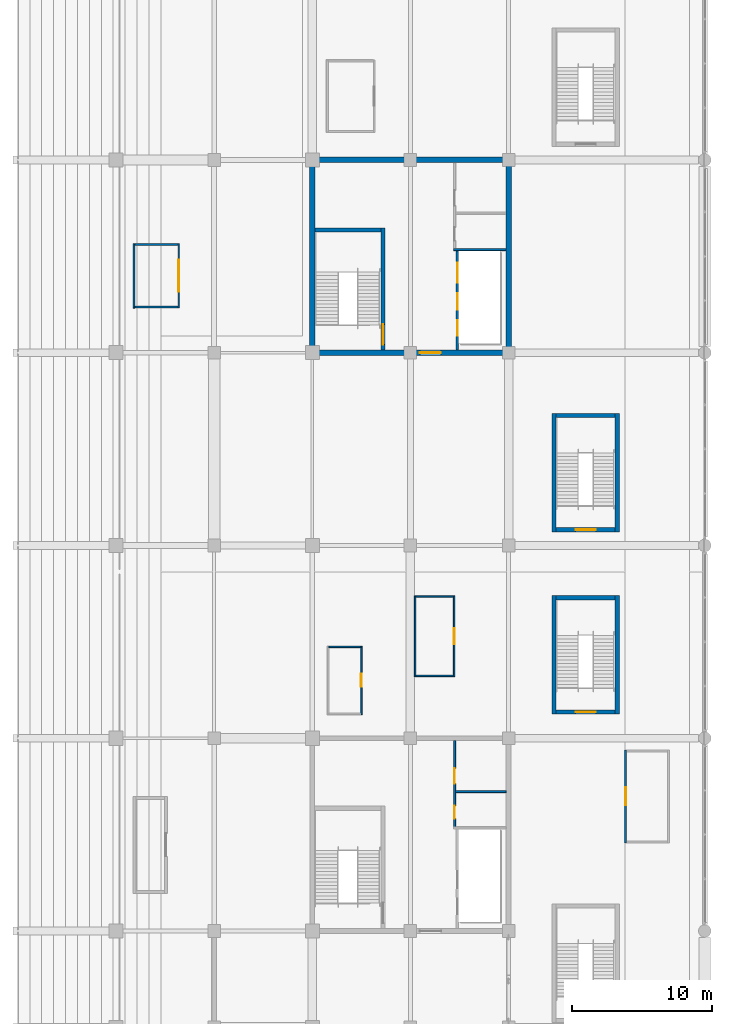
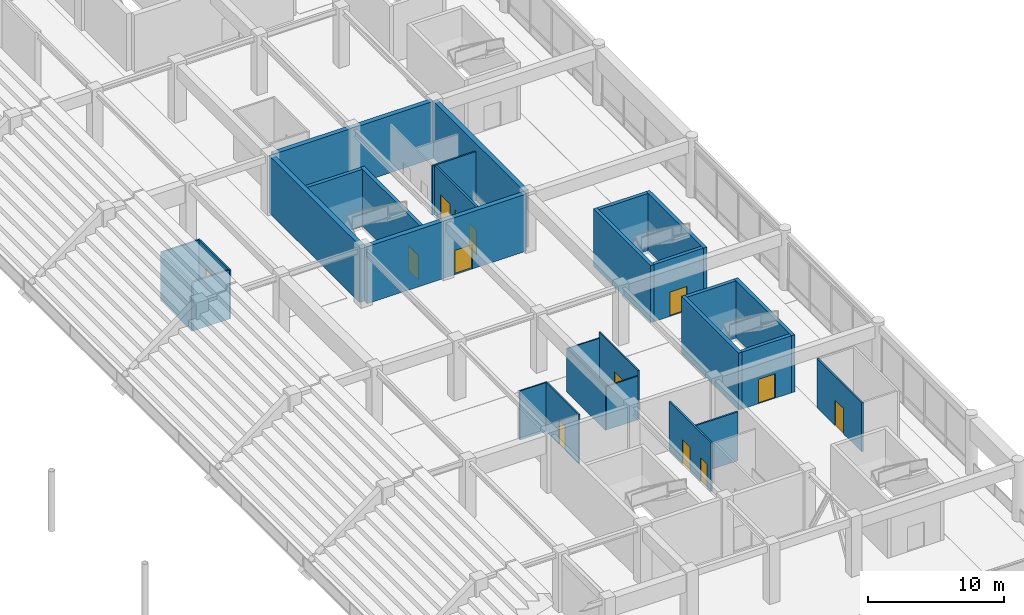
# One storey, part 93 of 117: 29 walls, 13 doors, 13 openings.
"""IFC4 building model written with IfcOpenShell, lengths in metres."""

import ifcopenshell
import ifcopenshell.guid

model = None  # the IFC model being written
_history = None  # IfcOwnerHistory: only IFC2X3 demands one
_inside = {}  # id of a spatial element -> (the spatial element, [elements in it])
_under = {}  # id of a project, library or spatial element -> (it, [spatial elements below it])
_declared = {}  # id of a project -> (the project, [libraries it declares])
_typed = {}  # id of a type object -> (the type object, [elements of that type])
_made_of = {}  # id of a material, layer set ... -> (it, [elements and type objects made of it])


def new_model(schema):
    """Start an empty IFC model of exactly this schema.

    Asked for "IFC4X3", IfcOpenShell would pick the latest addendum, in which some entities
    have other attributes; the version numbers below select the first issue.
    IFC2X3 requires an IfcOwnerHistory on every rooted entity: one is made here for all.
    """
    global model, _history
    if schema == "IFC4X3":
        model = ifcopenshell.file(schema_version=(4, 3, 0, 0))
    else:
        model = ifcopenshell.file(schema=schema)
    _inside.clear()
    _under.clear()
    _declared.clear()
    _typed.clear()
    _made_of.clear()
    _history = None
    if model.schema == "IFC2X3":
        org = make("IfcOrganization", Name="unknown")
        user = make(
            "IfcPersonAndOrganization",
            ThePerson=make("IfcPerson", FamilyName="unknown"),
            TheOrganization=org,
        )
        app = make(
            "IfcApplication",
            ApplicationDeveloper=org,
            Version="unknown",
            ApplicationFullName="unknown",
            ApplicationIdentifier="unknown",
        )
        _history = make(
            "IfcOwnerHistory",
            OwningUser=user,
            OwningApplication=app,
            ChangeAction="ADDED",
            CreationDate=0,
        )
    return model


def make(cls, **values):
    """One entity of the class cls with the attributes given. An attribute that is None is left unset."""
    return model.create_entity(
        cls, **{name: value for name, value in values.items() if value is not None}
    )


def rooted(cls, **values):
    """An entity with a GlobalId (a new one), such as an element, a storey or a relation."""
    return make(cls, GlobalId=ifcopenshell.guid.new(), OwnerHistory=_history, **values)


def si_unit(unit_type, name, prefix=None):
    """IfcSIUnit, for example si_unit("LENGTHUNIT", "METRE", prefix="MILLI")."""
    return make("IfcSIUnit", UnitType=unit_type, Prefix=prefix, Name=name)


def assignment(units):
    """IfcUnitAssignment: the units of a project."""
    return None if units is None else make("IfcUnitAssignment", Units=units)


def point(xyz):
    """IfcCartesianPoint."""
    return None if xyz is None else make("IfcCartesianPoint", Coordinates=xyz)


def direction(xyz):
    """IfcDirection."""
    return None if xyz is None else make("IfcDirection", DirectionRatios=xyz)


def frame(location, z_axis=None, x_axis=None):
    """IfcAxis2Placement3D, a coordinate frame: its origin and axes. An axis left out is left unset."""
    return make(
        "IfcAxis2Placement3D",
        Location=point(location),
        Axis=direction(z_axis),
        RefDirection=direction(x_axis),
    )


def frame_2d(location, x_axis=None):
    """IfcAxis2Placement2D, a coordinate frame in the plane: its origin and x axis."""
    return make(
        "IfcAxis2Placement2D", Location=point(location), RefDirection=direction(x_axis)
    )


def origin():
    """The frame at (0, 0, 0) with its axes left unset."""
    return frame((0.0, 0.0, 0.0))


def place(relative_to, where):
    """IfcLocalPlacement: puts the frame where relative to a parent placement (None: the world)."""
    return make(
        "IfcLocalPlacement", PlacementRelTo=relative_to, RelativePlacement=where
    )


def context(
    kind, dimensions, precision=None, world=None, true_north=None, identifier=None
):
    """IfcGeometricRepresentationContext, for example the 3D "Model" context."""
    return make(
        "IfcGeometricRepresentationContext",
        ContextIdentifier=identifier,
        ContextType=kind,
        CoordinateSpaceDimension=dimensions,
        Precision=precision,
        WorldCoordinateSystem=world,
        TrueNorth=true_north,
    )


def subcontext(parent, identifier, kind, view, scale=None):
    """IfcGeometricRepresentationSubContext, for example "Body" below "Model"."""
    return make(
        "IfcGeometricRepresentationSubContext",
        ContextIdentifier=identifier,
        ContextType=kind,
        ParentContext=parent,
        TargetScale=scale,
        TargetView=view,
    )


def project(units=None, contexts=None):
    """IfcProject with its units and contexts."""
    return rooted(
        "IfcProject",
        Name="project",
        RepresentationContexts=contexts,
        UnitsInContext=assignment(units),
    )


def spatial(cls, under=None, at=None, **own):
    """A site, building, storey or space (cls), placed at a placement, below another one or the project."""
    s = rooted(cls, ObjectPlacement=at, **own)
    if under is not None:
        _under.setdefault(under.id(), (under, []))[1].append(s)
    return s


def profile(cls, at=None, kind="AREA", **sizes):
    """A parametric profile (cls). Its sizes go by their IFC names, for example OverallWidth=200.0."""
    return make(cls, ProfileType=kind, Position=at, **sizes)


def rectangle(**sizes):
    """IfcRectangleProfileDef."""
    return profile("IfcRectangleProfileDef", **sizes)


def extrude(swept, where, along, depth):
    """IfcExtrudedAreaSolid: the profile swept, set in the frame where, extruded along a direction by depth."""
    return make(
        "IfcExtrudedAreaSolid",
        SweptArea=swept,
        Position=where,
        ExtrudedDirection=direction(along),
        Depth=depth,
    )


def shape(context_of_items, identifier, shape_type, items):
    """IfcShapeRepresentation: the items that make up one representation, for example the "Body"."""
    return make(
        "IfcShapeRepresentation",
        ContextOfItems=context_of_items,
        RepresentationIdentifier=identifier,
        RepresentationType=shape_type,
        Items=items,
    )


def material(Name=None, Category=None):
    """IfcMaterial."""
    return make("IfcMaterial", Name=Name, Category=Category)


def layer(
    of_material, thickness, ventilated=None, Name=None, Category=None, Priority=None
):
    """IfcMaterialLayer: one layer of a wall or slab, of a material (None: an air gap)."""
    return make(
        "IfcMaterialLayer",
        Material=of_material,
        LayerThickness=thickness,
        IsVentilated=ventilated,
        Name=Name,
        Category=Category,
        Priority=Priority,
    )


def layer_set(layers, Name=None):
    """IfcMaterialLayerSet."""
    return make("IfcMaterialLayerSet", MaterialLayers=layers, LayerSetName=Name)


def made_of(thing, what):
    """Note that an element or type object is made of a material, layer set ...; save() writes the relation."""
    if what is not None:
        _made_of.setdefault(what.id(), (what, []))[1].append(thing)
    return thing


def type_object(cls, material=None, **own):
    """A type object (cls), such as IfcWallType, which elements share."""
    return made_of(rooted(cls, **own), material)


def element(
    cls,
    number,
    at=None,
    inside=None,
    cuts=None,
    type_object=None,
    material=None,
    context=None,
    identifier="Body",
    shape_type=None,
    held_by="IfcProductDefinitionShape",
    body=None,
    shapes=None,
    **own,
):
    """One element of the class cls, such as IfcWall. Its Tag is "e" and its number.

    at: its placement. inside: the storey or other place that contains it. cuts: it is an
    opening in that element (IfcRelVoidsElement). A single representation is given by context,
    identifier, shape_type and body (its items); several are given by shapes. held_by: the class
    of the entity that holds the representations. save() writes the other relations.
    """
    e = rooted(cls, Tag="e%d" % number, ObjectPlacement=at, **own)
    if body is not None:
        shapes = [shape(context, identifier, shape_type, body)]
    if shapes is not None:
        e.Representation = make(held_by, Representations=shapes)
    if inside is not None:
        _inside.setdefault(inside.id(), (inside, []))[1].append(e)
    if cuts is not None:
        rooted(
            "IfcRelVoidsElement", RelatingBuildingElement=cuts, RelatedOpeningElement=e
        )
    if type_object is not None:
        _typed.setdefault(type_object.id(), (type_object, []))[1].append(e)
    return made_of(e, material)


def fill(opening, filler):
    """IfcRelFillsElement: the door or window that sits in an opening."""
    return rooted(
        "IfcRelFillsElement",
        RelatingOpeningElement=opening,
        RelatedBuildingElement=filler,
    )


def aggregate(whole, parts):
    """IfcRelAggregates: a whole, such as a stair, and the parts it consists of."""
    return rooted("IfcRelAggregates", RelatingObject=whole, RelatedObjects=parts)


def save(model, path):
    """Write the relations noted so far, then the file.

    IfcRelAggregates (storeys below a building ...), IfcRelContainedInSpatialStructure (elements
    in a storey), IfcRelDefinesByType, IfcRelAssociatesMaterial and IfcRelDeclares: one each for
    every whole, place, type object, material and project.
    """
    for whole, parts in _under.values():
        aggregate(whole, parts)
    for where, things in _inside.values():
        rooted(
            "IfcRelContainedInSpatialStructure",
            RelatedElements=things,
            RelatingStructure=where,
        )
    for kind, things in _typed.values():
        rooted("IfcRelDefinesByType", RelatedObjects=things, RelatingType=kind)
    for what, things in _made_of.values():
        rooted("IfcRelAssociatesMaterial", RelatedObjects=things, RelatingMaterial=what)
    for by, libraries in _declared.values():
        rooted("IfcRelDeclares", RelatingContext=by, RelatedDefinitions=libraries)
    model.write(path)


model = new_model("IFC4")

# Units and contexts
model_context = context("Model", 3, precision=1e-05, world=origin(), true_north=direction((0.0, 1.0)))
body_context = subcontext(model_context, "Body", "Model", "MODEL_VIEW")
ifc_project = project(units=[si_unit("LENGTHUNIT", "METRE"), si_unit("AREAUNIT", "SQUARE_METRE"), si_unit("VOLUMEUNIT", "CUBIC_METRE"), si_unit("PLANEANGLEUNIT", "RADIAN"), si_unit("MASSUNIT", "GRAM", prefix="KILO")], contexts=[model_context])

# Site, building, storey
site_placement = place(None, origin())
site = spatial("IfcSite", under=ifc_project, at=site_placement, CompositionType="ELEMENT")
building_placement = place(site_placement, origin())
building = spatial("IfcBuilding", under=site, at=building_placement, Name="Linyun Crest Stadium", CompositionType="ELEMENT")
storey_placement = place(building_placement, frame((0.0, 0.0, 6.0)))
storey = spatial("IfcBuildingStorey", under=building, at=storey_placement, Name="L02", CompositionType="ELEMENT", Elevation=6.0)

# Walls
ifc_material_1 = material(Name="Concrete C50", Category="concrete")
ifc_layer_1 = layer(ifc_material_1, 0.39990234375)
ifc_layer_set_1 = layer_set([ifc_layer_1], Name="Concrete C50")
wall_type_1 = type_object("IfcWallType", Name="CW02", PredefinedType="SHEAR", material=ifc_layer_set_1)
for number, where, z_axis, x_axis, name in (
    (1, (70.0, 2.324951171875, 0.0), (0.0, 0.0, 1.0), (0.0, 1.0, 0.0), "Core shear wall CW02 CORE-E2 L02.1"),
    (2, (84.0, 2.324951171875, 0.0), (0.0, 0.0, 1.0), (0.0, 1.0, 0.0), "Core shear wall CW02 CORE-E2 L02.2"),
):
    element("IfcWall", number, at=place(storey_placement, frame(where, z_axis=z_axis, x_axis=x_axis)), inside=storey, type_object=wall_type_1, Name=name, PredefinedType="SHEAR", context=body_context, shape_type="SweptSolid", body=[
        extrude(rectangle(XDim=13.35009765625, YDim=0.39990234375, at=frame_2d((6.675048828125, 0.0))), origin(), (0.0, 0.0, 1.0), 5.14990234375),
    ])

# Wall, opening, door
wall_1_placement = place(storey_placement, frame((70.199951171875, 2.125, 0.0), z_axis=(0.0, 0.0, 1.0), x_axis=(1.0, 0.0, 0.0)))
wall_1 = element("IfcWall", 3, at=wall_1_placement, inside=storey, type_object=wall_type_1, Name="Core shear wall CW02 CORE-E2 L02.3", PredefinedType="SHEAR", context=body_context, shape_type="SweptSolid", body=[
    extrude(rectangle(XDim=13.60009765625, YDim=0.39990234375, at=frame_2d((6.800048828125, 0.0))), origin(), (0.0, 0.0, 1.0), 5.14990234375),
])
opening_1_placement = place(wall_1_placement, frame((7.47998046875, 0.0, 0.0)))
opening_1 = element("IfcOpeningElement", 4, at=opening_1_placement, cuts=wall_1, Name="Opening D-L02-198", PredefinedType="OPENING", context=body_context, shape_type="SweptSolid", body=[
    extrude(rectangle(XDim=1.5, YDim=2.199951171875, at=frame_2d((0.75, 1.10009765625))), frame((0.0, 0.2099609375, 0.0), z_axis=(0.0, -1.0, 0.0), x_axis=(1.0, 0.0, 0.0)), (0.0, 0.0, 1.0), 0.419921875),
])
ifc_material_2 = material(Name="Galvanized steel Class A fire door", Category="steel")
ifc_layer_2 = layer(ifc_material_2, 0.054931640625)
ifc_layer_set_2 = layer_set([ifc_layer_2], Name="Galvanized steel Class A fire door")
door_type_1 = type_object("IfcDoorType", Name="FD01", OperationType="NOTDEFINED", PredefinedType="DOOR", material=ifc_layer_set_2)
door_1_placement = place(opening_1_placement, origin())
door_1 = element("IfcDoor", 5, at=door_1_placement, inside=storey, type_object=door_type_1, Name="Door D-L02-198", OperationType="SINGLE_SWING_RIGHT", OverallHeight=2.199951171875, OverallWidth=1.5, PredefinedType="DOOR", context=body_context, shape_type="SweptSolid", body=[
    extrude(rectangle(XDim=1.5, YDim=2.199951171875, at=frame_2d((0.75, 1.10009765625))), frame((0.0, 0.02490234375, 0.0), z_axis=(0.0, -1.0, 0.0), x_axis=(1.0, 0.0, 0.0)), (0.0, 0.0, 1.0), 0.050048828125),
])
fill(opening_1, door_1)

# Wall
wall_2_placement = place(storey_placement, frame((70.199951171875, 15.875, 0.0), z_axis=(0.0, 0.0, 1.0), x_axis=(1.0, 0.0, 0.0)))
element("IfcWall", 6, at=wall_2_placement, inside=storey, type_object=wall_type_1, Name="Core shear wall CW02 CORE-E2 L02.4", PredefinedType="SHEAR", context=body_context, shape_type="SweptSolid", body=[
    extrude(rectangle(XDim=13.60009765625, YDim=0.39990234375, at=frame_2d((6.800048828125, 0.0))), origin(), (0.0, 0.0, 1.0), 5.14990234375),
])

# Wall, openings, doors
ifc_material_3 = material(Name="Autoclaved aerated concrete block fire partition", Category="concrete")
ifc_layer_3 = layer(ifc_material_3, 0.179931640625)
ifc_layer_set_3 = layer_set([ifc_layer_3], Name="Autoclaved aerated concrete block fire partition")
wall_type_2 = type_object("IfcWallType", Name="PW12", PredefinedType="PARTITIONING", material=ifc_layer_set_3)
wall_3_placement = place(storey_placement, frame((80.35009765625, 2.324951171875, 0.0), z_axis=(0.0, 0.0, 1.0), x_axis=(0.0, 1.0, 0.0)))
wall_3 = element("IfcWall", 7, at=wall_3_placement, inside=storey, type_object=wall_type_2, Name="Partition PW12 L02 73", PredefinedType="PARTITIONING", context=body_context, shape_type="SweptSolid", body=[
    extrude(rectangle(XDim=7.080078125, YDim=0.179931640625, at=frame_2d((3.5400390625, 0.0))), origin(), (0.0, 0.0, 1.0), 4.419921875),
])
opening_2_placement = place(wall_3_placement, frame((1.0, 0.0, 0.0)))
opening_2 = element("IfcOpeningElement", 8, at=opening_2_placement, cuts=wall_3, Name="Opening LD067", PredefinedType="OPENING", context=body_context, shape_type="SweptSolid", body=[
    extrude(rectangle(XDim=1.10009765625, YDim=2.199951171875, at=frame_2d((0.550048828125, 1.10009765625))), frame((0.0, 0.099853515625, 0.0), z_axis=(0.0, -1.0, 0.0), x_axis=(1.0, 0.0, 0.0)), (0.0, 0.0, 1.0), 0.199951171875),
])
opening_3_placement = place(wall_3_placement, frame((2.85009765625, 0.0, 0.0)))
opening_3 = element("IfcOpeningElement", 9, at=opening_3_placement, cuts=wall_3, Name="Opening LD068", PredefinedType="OPENING", context=body_context, shape_type="SweptSolid", body=[
    extrude(rectangle(XDim=1.199951171875, YDim=2.25, at=frame_2d((0.60009765625, 1.125))), frame((0.0, 0.099853515625, 0.0), z_axis=(0.0, -1.0, 0.0), x_axis=(1.0, 0.0, 0.0)), (0.0, 0.0, 1.0), 0.199951171875),
])
opening_4_placement = place(wall_3_placement, frame((4.800048828125, 0.0, 0.0)))
opening_4 = element("IfcOpeningElement", 10, at=opening_4_placement, cuts=wall_3, Name="Opening LD069", PredefinedType="OPENING", context=body_context, shape_type="SweptSolid", body=[
    extrude(rectangle(XDim=1.39990234375, YDim=2.300048828125, at=frame_2d((0.699951171875, 1.14990234375))), frame((0.0, 0.099853515625, 0.0), z_axis=(0.0, -1.0, 0.0), x_axis=(1.0, 0.0, 0.0)), (0.0, 0.0, 1.0), 0.199951171875),
])
ifc_material_4 = material(Name="Brushed stainless sliding lift door")
ifc_layer_4 = layer(ifc_material_4, 0.050048828125)
ifc_layer_set_4 = layer_set([ifc_layer_4], Name="Brushed stainless sliding lift door")
door_type_2 = type_object("IfcDoorType", Name="LD01", OperationType="NOTDEFINED", PredefinedType="DOOR", material=ifc_layer_set_4)
door_2_placement = place(opening_2_placement, origin())
door_2 = element("IfcDoor", 11, at=door_2_placement, inside=storey, type_object=door_type_2, Name="Lift landing door LD067", OperationType="DOUBLE_DOOR_SLIDING", OverallHeight=2.199951171875, OverallWidth=1.10009765625, PredefinedType="DOOR", context=body_context, shape_type="SweptSolid", body=[
    extrude(rectangle(XDim=1.10009765625, YDim=2.199951171875, at=frame_2d((0.550048828125, 1.10009765625))), frame((0.0, 0.02490234375, 0.0), z_axis=(0.0, -1.0, 0.0), x_axis=(1.0, 0.0, 0.0)), (0.0, 0.0, 1.0), 0.050048828125),
])
fill(opening_2, door_2)
ifc_material_5 = material(Name="Brushed stainless sliding lift door")
ifc_layer_5 = layer(ifc_material_5, 0.050048828125)
ifc_layer_set_5 = layer_set([ifc_layer_5], Name="Brushed stainless sliding lift door")
door_type_3 = type_object("IfcDoorType", Name="LD02", OperationType="NOTDEFINED", PredefinedType="DOOR", material=ifc_layer_set_5)
door_3_placement = place(opening_3_placement, origin())
door_3 = element("IfcDoor", 12, at=door_3_placement, inside=storey, type_object=door_type_3, Name="Lift landing door LD068", OperationType="DOUBLE_DOOR_SLIDING", OverallHeight=2.25, OverallWidth=1.199951171875, PredefinedType="DOOR", context=body_context, shape_type="SweptSolid", body=[
    extrude(rectangle(XDim=1.199951171875, YDim=2.25, at=frame_2d((0.60009765625, 1.125))), frame((0.0, 0.02490234375, 0.0), z_axis=(0.0, -1.0, 0.0), x_axis=(1.0, 0.0, 0.0)), (0.0, 0.0, 1.0), 0.050048828125),
])
fill(opening_3, door_3)
ifc_material_6 = material(Name="Heavy-duty stainless sliding door")
ifc_layer_6 = layer(ifc_material_6, 0.054931640625)
ifc_layer_set_6 = layer_set([ifc_layer_6], Name="Heavy-duty stainless sliding door")
door_type_4 = type_object("IfcDoorType", Name="LD03", OperationType="NOTDEFINED", PredefinedType="DOOR", material=ifc_layer_set_6)
door_4_placement = place(opening_4_placement, origin())
door_4 = element("IfcDoor", 13, at=door_4_placement, inside=storey, type_object=door_type_4, Name="Lift landing door LD069", OperationType="DOUBLE_DOOR_SLIDING", OverallHeight=2.300048828125, OverallWidth=1.39990234375, PredefinedType="DOOR", context=body_context, shape_type="SweptSolid", body=[
    extrude(rectangle(XDim=1.39990234375, YDim=2.300048828125, at=frame_2d((0.699951171875, 1.14990234375))), frame((0.0, 0.02490234375, 0.0), z_axis=(0.0, -1.0, 0.0), x_axis=(1.0, 0.0, 0.0)), (0.0, 0.0, 1.0), 0.050048828125),
])
fill(opening_4, door_4)

# Wall, opening, door
ifc_material_7 = material(Name="Steel-stud gypsum corridor fire partition", Category="steel")
ifc_layer_7 = layer(ifc_material_7, 0.14990234375)
ifc_layer_set_7 = layer_set([ifc_layer_7], Name="Steel-stud gypsum corridor fire partition")
wall_type_3 = type_object("IfcWallType", Name="PW14", PredefinedType="PARTITIONING", material=ifc_layer_set_7)
wall_4_placement = place(storey_placement, frame((92.35400390625, -32.8369140625, 0.0), z_axis=(0.0, 0.0, 1.0), x_axis=(0.0, 1.0, 0.0)))
wall_4 = element("IfcWall", 14, at=wall_4_placement, inside=storey, type_object=wall_type_3, Name="Partition PW14 L02 187", PredefinedType="PARTITIONING", context=body_context, shape_type="SweptSolid", body=[
    extrude(rectangle(XDim=6.6298828125, YDim=0.14990234375, at=frame_2d((3.31494140625, 0.0))), origin(), (0.0, 0.0, 1.0), 4.419921875),
])
opening_5_placement = place(wall_4_placement, frame((2.6650390625, 0.0, 0.0)))
opening_5 = element("IfcOpeningElement", 15, at=opening_5_placement, cuts=wall_4, Name="Opening D-L02-450", PredefinedType="OPENING", context=body_context, shape_type="SweptSolid", body=[
    extrude(rectangle(XDim=1.300048828125, YDim=2.300048828125, at=frame_2d((0.64990234375, 1.14990234375))), frame((0.0, 0.0849609375, 0.0), z_axis=(0.0, -1.0, 0.0), x_axis=(1.0, 0.0, 0.0)), (0.0, 0.0, 1.0), 0.169921875),
])
ifc_material_8 = material(Name="High-STC acoustic steel studio door", Category="steel")
ifc_layer_8 = layer(ifc_material_8, 0.06494140625)
ifc_layer_set_8 = layer_set([ifc_layer_8], Name="High-STC acoustic steel studio door")
door_type_5 = type_object("IfcDoorType", Name="ID08", OperationType="NOTDEFINED", PredefinedType="DOOR", material=ifc_layer_set_8)
door_5_placement = place(opening_5_placement, origin())
door_5 = element("IfcDoor", 16, at=door_5_placement, inside=storey, type_object=door_type_5, Name="Door D-L02-450", OperationType="SINGLE_SWING_RIGHT", OverallHeight=2.300048828125, OverallWidth=1.300048828125, PredefinedType="DOOR", context=body_context, shape_type="SweptSolid", body=[
    extrude(rectangle(XDim=1.300048828125, YDim=2.300048828125, at=frame_2d((0.64990234375, 1.14990234375))), frame((0.0, 0.02490234375, 0.0), z_axis=(0.0, -1.0, 0.0), x_axis=(1.0, 0.0, 0.0)), (0.0, 0.0, 1.0), 0.050048828125),
])
fill(opening_5, door_5)

# Wall, openings, doors
ifc_material_9 = material(Name="Moisture-resistant ceramic-tiled wet-room wall")
ifc_layer_9 = layer(ifc_material_9, 0.139892578125)
ifc_layer_set_9 = layer_set([ifc_layer_9], Name="Moisture-resistant ceramic-tiled wet-room wall")
wall_type_4 = type_object("IfcWallType", Name="PW15", PredefinedType="PARTITIONING", material=ifc_layer_set_9)
wall_5_placement = place(storey_placement, frame((80.14990234375, -31.705078125, 0.0), z_axis=(0.0, 0.0, 1.0), x_axis=(0.0, 1.0, 0.0)))
wall_5 = element("IfcWall", 17, at=wall_5_placement, inside=storey, type_object=wall_type_4, Name="Partition PW15 L02 62", PredefinedType="PARTITIONING", context=body_context, shape_type="SweptSolid", body=[
    extrude(rectangle(XDim=6.155029296875, YDim=0.139892578125, at=frame_2d((3.07763671875, 0.0))), origin(), (0.0, 0.0, 1.0), 4.419921875),
])
opening_6_placement = place(wall_5_placement, frame((0.580078125, 0.0, 0.0)))
opening_6 = element("IfcOpeningElement", 18, at=opening_6_placement, cuts=wall_5, Name="Opening D-L02-164", PredefinedType="OPENING", context=body_context, shape_type="SweptSolid", body=[
    extrude(rectangle(XDim=0.949951171875, YDim=2.14990234375, at=frame_2d((0.47509765625, 1.074951171875))), frame((0.0, 0.079833984375, 0.0), z_axis=(0.0, -1.0, 0.0), x_axis=(1.0, 0.0, 0.0)), (0.0, 0.0, 1.0), 0.159912109375),
])
opening_7_placement = place(wall_5_placement, frame((3.080078125, 0.0, 0.0)))
opening_7 = element("IfcOpeningElement", 19, at=opening_7_placement, cuts=wall_5, Name="Opening D-L02-165", PredefinedType="OPENING", context=body_context, shape_type="SweptSolid", body=[
    extrude(rectangle(XDim=1.10009765625, YDim=2.14990234375, at=frame_2d((0.550048828125, 1.074951171875))), frame((0.0, 0.079833984375, 0.0), z_axis=(0.0, -1.0, 0.0), x_axis=(1.0, 0.0, 0.0)), (0.0, 0.0, 1.0), 0.159912109375),
])
ifc_material_10 = material(Name="Moisture-resistant laminate leaf")
ifc_layer_10 = layer(ifc_material_10, 0.044921875)
ifc_layer_set_10 = layer_set([ifc_layer_10], Name="Moisture-resistant laminate leaf")
door_type_6 = type_object("IfcDoorType", Name="ID02", OperationType="NOTDEFINED", PredefinedType="DOOR", material=ifc_layer_set_10)
door_6_placement = place(opening_6_placement, origin())
door_6 = element("IfcDoor", 20, at=door_6_placement, inside=storey, type_object=door_type_6, Name="Door D-L02-164", OperationType="SINGLE_SWING_RIGHT", OverallHeight=2.14990234375, OverallWidth=0.949951171875, PredefinedType="DOOR", context=body_context, shape_type="SweptSolid", body=[
    extrude(rectangle(XDim=0.949951171875, YDim=2.14990234375, at=frame_2d((0.47509765625, 1.074951171875))), frame((0.0, 0.02490234375, 0.0), z_axis=(0.0, -1.0, 0.0), x_axis=(1.0, 0.0, 0.0)), (0.0, 0.0, 1.0), 0.050048828125),
])
fill(opening_6, door_6)
ifc_material_11 = material(Name="Moisture-resistant laminate leaf")
ifc_layer_11 = layer(ifc_material_11, 0.044921875)
ifc_layer_set_11 = layer_set([ifc_layer_11], Name="Moisture-resistant laminate leaf")
door_type_7 = type_object("IfcDoorType", Name="ID03", OperationType="NOTDEFINED", PredefinedType="DOOR", material=ifc_layer_set_11)
door_7_placement = place(opening_7_placement, origin())
door_7 = element("IfcDoor", 21, at=door_7_placement, inside=storey, type_object=door_type_7, Name="Door D-L02-165", OperationType="SINGLE_SWING_LEFT", OverallHeight=2.14990234375, OverallWidth=1.10009765625, PredefinedType="DOOR", context=body_context, shape_type="SweptSolid", body=[
    extrude(rectangle(XDim=1.10009765625, YDim=2.14990234375, at=frame_2d((0.550048828125, 1.074951171875))), frame((0.0, 0.02490234375, 0.0), z_axis=(0.0, -1.0, 0.0), x_axis=(1.0, 0.0, 0.0)), (0.0, 0.0, 1.0), 0.050048828125),
])
fill(opening_7, door_7)

# Walls
wall_6_placement = place(storey_placement, frame((80.219970703125, -29.175048828125, 0.0), z_axis=(0.0, 0.0, 1.0), x_axis=(1.0, 0.0, 0.0)))
element("IfcWall", 22, at=wall_6_placement, inside=storey, type_object=wall_type_4, Name="Enclosure partition PW15 L02 48", PredefinedType="PARTITIONING", context=body_context, shape_type="SweptSolid", body=[
    extrude(rectangle(XDim=3.60498046875, YDim=0.139892578125, at=frame_2d((1.802490234375, 0.0))), origin(), (0.0, 0.0, 1.0), 4.419921875),
])
wall_7_placement = place(storey_placement, frame((80.080078125, 9.47509765625, 0.0), z_axis=(0.0, 0.0, 1.0), x_axis=(1.0, 0.0, 0.0)))
element("IfcWall", 23, at=wall_7_placement, inside=storey, type_object=wall_type_4, Name="Enclosure partition PW15 L02 59", PredefinedType="PARTITIONING", context=body_context, shape_type="SweptSolid", body=[
    extrude(rectangle(XDim=3.719970703125, YDim=0.139892578125, at=frame_2d((1.85986328125, 0.0))), origin(), (0.0, 0.0, 1.0), 4.419921875),
])

# Wall, opening, door
ifc_material_12 = material(Name="Steel-stud hospitality suite partition", Category="steel")
ifc_layer_12 = layer(ifc_material_12, 0.125)
ifc_layer_set_12 = layer_set([ifc_layer_12], Name="Steel-stud hospitality suite partition")
wall_type_5 = type_object("IfcWallType", Name="PW17", PredefinedType="PARTITIONING", material=ifc_layer_set_12)
wall_8_placement = place(storey_placement, frame((60.47802734375, 9.9140625, 0.0), z_axis=(0.0, 0.0, 1.0), x_axis=(0.0, -1.0, 0.0)))
wall_8 = element("IfcWall", 24, at=wall_8_placement, inside=storey, type_object=wall_type_5, Name="Partition PW17 L02 189", PredefinedType="PARTITIONING", context=body_context, shape_type="SweptSolid", body=[
    extrude(rectangle(XDim=4.60009765625, YDim=0.125, at=frame_2d((2.300048828125, 0.0))), origin(), (0.0, 0.0, 1.0), 4.419921875),
])
opening_8_placement = place(wall_8_placement, frame((1.175048828125, 0.0, 0.0)))
opening_8 = element("IfcOpeningElement", 25, at=opening_8_placement, cuts=wall_8, Name="Opening D-L02-452", PredefinedType="OPENING", context=body_context, shape_type="SweptSolid", body=[
    extrude(rectangle(XDim=2.25, YDim=2.449951171875, at=frame_2d((1.125, 1.22509765625))), frame((0.0, 0.072509765625, 0.0), z_axis=(0.0, -1.0, 0.0), x_axis=(1.0, 0.0, 0.0)), (0.0, 0.0, 1.0), 0.14501953125),
])
ifc_material_13 = material(Name="Double-leaf anodized aluminium door", Category="aluminium")
ifc_layer_13 = layer(ifc_material_13, 0.054931640625)
ifc_layer_set_13 = layer_set([ifc_layer_13], Name="Double-leaf anodized aluminium door")
door_type_8 = type_object("IfcDoorType", Name="ID10", OperationType="NOTDEFINED", PredefinedType="DOOR", material=ifc_layer_set_13)
door_8_placement = place(opening_8_placement, origin())
door_8 = element("IfcDoor", 26, at=door_8_placement, inside=storey, type_object=door_type_8, Name="Door D-L02-452", OperationType="DOUBLE_DOOR_SINGLE_SWING", OverallHeight=2.449951171875, OverallWidth=2.25, PredefinedType="DOOR", context=body_context, shape_type="SweptSolid", body=[
    extrude(rectangle(XDim=2.25, YDim=2.449951171875, at=frame_2d((1.125, 1.22509765625))), frame((0.0, 0.02490234375, 0.0), z_axis=(0.0, -1.0, 0.0), x_axis=(1.0, 0.0, 0.0)), (0.0, 0.0, 1.0), 0.050048828125),
])
fill(opening_8, door_8)

# Walls
wall_9_placement = place(storey_placement, frame((57.278076171875, 5.31396484375, 0.0), z_axis=(0.0, 0.0, 1.0), x_axis=(0.0, 1.0, 0.0)))
element("IfcWall", 27, at=wall_9_placement, inside=storey, type_object=wall_type_5, Name="Enclosure partition PW17 L02 283", PredefinedType="PARTITIONING", context=body_context, shape_type="SweptSolid", body=[
    extrude(rectangle(XDim=4.60009765625, YDim=0.125, at=frame_2d((2.300048828125, 0.0))), origin(), (0.0, 0.0, 1.0), 4.419921875),
])
for number, where, z_axis, x_axis, name in (
    (28, (57.341064453125, 5.376953125, 0.0), (0.0, 0.0, 1.0), (1.0, 0.0, 0.0), "Enclosure partition PW17 L02 284"),
    (29, (57.341064453125, 9.85107421875, 0.0), (0.0, 0.0, 1.0), (1.0, 0.0, 0.0), "Enclosure partition PW17 L02 285"),
):
    element("IfcWall", number, at=place(storey_placement, frame(where, z_axis=z_axis, x_axis=x_axis)), inside=storey, type_object=wall_type_5, Name=name, PredefinedType="PARTITIONING", context=body_context, shape_type="SweptSolid", body=[
        extrude(rectangle(XDim=3.073974609375, YDim=0.125, at=frame_2d((1.537109375, 0.0))), origin(), (0.0, 0.0, 1.0), 4.419921875),
    ])

# Wall, opening, door
ifc_material_14 = material(Name="Lightweight demountable office partition")
ifc_layer_14 = layer(ifc_material_14, 0.110107421875)
ifc_layer_set_14 = layer_set([ifc_layer_14], Name="Lightweight demountable office partition")
wall_type_6 = type_object("IfcWallType", Name="PW18", PredefinedType="PARTITIONING", material=ifc_layer_set_14)
wall_10_placement = place(storey_placement, frame((73.49609375, -18.7958984375, 0.0), z_axis=(0.0, 0.0, 1.0), x_axis=(0.0, -1.0, 0.0)))
wall_10 = element("IfcWall", 30, at=wall_10_placement, inside=storey, type_object=wall_type_6, Name="Partition PW18 L02 190", PredefinedType="PARTITIONING", context=body_context, shape_type="SweptSolid", body=[
    extrude(rectangle(XDim=4.89013671875, YDim=0.110107421875, at=frame_2d((2.445068359375, 0.0))), origin(), (0.0, 0.0, 1.0), 4.419921875),
])
opening_9_placement = place(wall_10_placement, frame((1.9951171875, 0.0, 0.0)))
opening_9 = element("IfcOpeningElement", 31, at=opening_9_placement, cuts=wall_10, Name="Opening D-L02-453", PredefinedType="OPENING", context=body_context, shape_type="SweptSolid", body=[
    extrude(rectangle(XDim=0.89990234375, YDim=2.14990234375, at=frame_2d((0.449951171875, 1.074951171875))), frame((0.0, 0.06494140625, 0.0), z_axis=(0.0, -1.0, 0.0), x_axis=(1.0, 0.0, 0.0)), (0.0, 0.0, 1.0), 0.130126953125),
])
ifc_material_15 = material(Name="Acoustic glazed booth door")
ifc_layer_15 = layer(ifc_material_15, 0.050048828125)
ifc_layer_set_15 = layer_set([ifc_layer_15], Name="Acoustic glazed booth door")
door_type_9 = type_object("IfcDoorType", Name="ID11", OperationType="NOTDEFINED", PredefinedType="DOOR", material=ifc_layer_set_15)
door_9_placement = place(opening_9_placement, origin())
door_9 = element("IfcDoor", 32, at=door_9_placement, inside=storey, type_object=door_type_9, Name="Door D-L02-453", OperationType="SINGLE_SWING_LEFT", OverallHeight=2.14990234375, OverallWidth=0.89990234375, PredefinedType="DOOR", context=body_context, shape_type="SweptSolid", body=[
    extrude(rectangle(XDim=0.89990234375, YDim=2.14990234375, at=frame_2d((0.449951171875, 1.074951171875))), frame((0.0, 0.02490234375, 0.0), z_axis=(0.0, -1.0, 0.0), x_axis=(1.0, 0.0, 0.0)), (0.0, 0.0, 1.0), 0.050048828125),
])
fill(opening_9, door_9)

wall_11_placement = place(storey_placement, frame((80.12109375, -15.218017578125, 0.0), z_axis=(0.0, 0.0, 1.0), x_axis=(0.0, -1.0, 0.0)))
wall_11 = element("IfcWall", 33, at=wall_11_placement, inside=storey, type_object=wall_type_6, Name="Partition PW18 L02 255", PredefinedType="PARTITIONING", context=body_context, shape_type="SweptSolid", body=[
    extrude(rectangle(XDim=5.760009765625, YDim=0.110107421875, at=frame_2d((2.8798828125, 0.0))), origin(), (0.0, 0.0, 1.0), 4.419921875),
])
opening_10_placement = place(wall_11_placement, frame((2.304931640625, 0.0, 0.0)))
opening_10 = element("IfcOpeningElement", 34, at=opening_10_placement, cuts=wall_11, Name="Opening D-L02-518", PredefinedType="OPENING", context=body_context, shape_type="SweptSolid", body=[
    extrude(rectangle(XDim=1.14990234375, YDim=2.199951171875, at=frame_2d((0.574951171875, 1.10009765625))), frame((0.0, 0.06494140625, 0.0), z_axis=(0.0, -1.0, 0.0), x_axis=(1.0, 0.0, 0.0)), (0.0, 0.0, 1.0), 0.130126953125),
])
ifc_material_16 = material(Name="Solid timber acoustic door", Category="wood")
ifc_layer_16 = layer(ifc_material_16, 0.050048828125)
ifc_layer_set_16 = layer_set([ifc_layer_16], Name="Solid timber acoustic door")
door_type_10 = type_object("IfcDoorType", Name="ID15", OperationType="NOTDEFINED", PredefinedType="DOOR", material=ifc_layer_set_16)
door_10_placement = place(opening_10_placement, origin())
door_10 = element("IfcDoor", 35, at=door_10_placement, inside=storey, type_object=door_type_10, Name="Door D-L02-518", OperationType="SINGLE_SWING_RIGHT", OverallHeight=2.199951171875, OverallWidth=1.14990234375, PredefinedType="DOOR", context=body_context, shape_type="SweptSolid", body=[
    extrude(rectangle(XDim=1.14990234375, YDim=2.199951171875, at=frame_2d((0.574951171875, 1.10009765625))), frame((0.0, 0.02490234375, 0.0), z_axis=(0.0, -1.0, 0.0), x_axis=(1.0, 0.0, 0.0)), (0.0, 0.0, 1.0), 0.050048828125),
])
fill(opening_10, door_10)

# Walls
wall_12_placement = place(storey_placement, frame((71.19091796875, -18.85107421875, 0.0), z_axis=(0.0, 0.0, 1.0), x_axis=(1.0, 0.0, 0.0)))
element("IfcWall", 36, at=wall_12_placement, inside=storey, type_object=wall_type_6, Name="Enclosure partition PW18 L02 288", PredefinedType="PARTITIONING", context=body_context, shape_type="SweptSolid", body=[
    extrude(rectangle(XDim=2.25, YDim=0.110107421875, at=frame_2d((1.125, 0.0))), origin(), (0.0, 0.0, 1.0), 4.419921875),
])
wall_13_placement = place(storey_placement, frame((77.341064453125, -20.97802734375, 0.0), z_axis=(0.0, 0.0, 1.0), x_axis=(0.0, 1.0, 0.0)))
element("IfcWall", 37, at=wall_13_placement, inside=storey, type_object=wall_type_6, Name="Enclosure partition PW18 L02 481", PredefinedType="PARTITIONING", context=body_context, shape_type="SweptSolid", body=[
    extrude(rectangle(XDim=5.760009765625, YDim=0.110107421875, at=frame_2d((2.8798828125, 0.0))), origin(), (0.0, 0.0, 1.0), 3.925048828125),
])
for number, where, z_axis, x_axis, name in (
    (38, (77.39599609375, -20.923095703125, 0.0), (0.0, 0.0, 1.0), (1.0, 0.0, 0.0), "Enclosure partition PW18 L02 482"),
    (39, (77.39599609375, -15.27294921875, 0.0), (0.0, 0.0, 1.0), (1.0, 0.0, 0.0), "Enclosure partition PW18 L02 483"),
):
    element("IfcWall", number, at=place(storey_placement, frame(where, z_axis=z_axis, x_axis=x_axis)), inside=storey, type_object=wall_type_6, Name=name, PredefinedType="PARTITIONING", context=body_context, shape_type="SweptSolid", body=[
        extrude(rectangle(XDim=2.669921875, YDim=0.110107421875, at=frame_2d((1.3349609375, 0.0))), origin(), (0.0, 0.0, 1.0), 3.925048828125),
    ])

# Wall, opening, door
ifc_material_17 = material(Name="Concrete C50", Category="concrete")
ifc_layer_17 = layer(ifc_material_17, 0.300048828125)
ifc_layer_set_17 = layer_set([ifc_layer_17], Name="Concrete C50")
wall_type_7 = type_object("IfcWallType", Name="SW01", PredefinedType="SHEAR", material=ifc_layer_set_17)
wall_14_placement = place(storey_placement, frame((75.050048828125, 2.324951171875, 0.0), z_axis=(0.0, 0.0, 1.0), x_axis=(0.0, 1.0, 0.0)))
wall_14 = element("IfcWall", 40, at=wall_14_placement, inside=storey, type_object=wall_type_7, Name="Core stair east bearing wall SW01 5 L02", PredefinedType="SHEAR", context=body_context, shape_type="SweptSolid", body=[
    extrude(rectangle(XDim=8.699951171875, YDim=0.300048828125, at=frame_2d((4.35009765625, 0.0))), origin(), (0.0, 0.0, 1.0), 5.14990234375),
])
opening_11_placement = place(wall_14_placement, frame((0.3701171875, 0.0, 0.0)))
opening_11 = element("IfcOpeningElement", 41, at=opening_11_placement, cuts=wall_14, Name="Opening D-L02-199", PredefinedType="OPENING", context=body_context, shape_type="SweptSolid", body=[
    extrude(rectangle(XDim=1.449951171875, YDim=2.199951171875, at=frame_2d((0.72509765625, 1.10009765625))), frame((0.0, 0.159912109375, 0.0), z_axis=(0.0, -1.0, 0.0), x_axis=(1.0, 0.0, 0.0)), (0.0, 0.0, 1.0), 0.320068359375),
])
ifc_material_18 = material(Name="Galvanized steel Class A fire door", Category="steel")
ifc_layer_18 = layer(ifc_material_18, 0.054931640625)
ifc_layer_set_18 = layer_set([ifc_layer_18], Name="Galvanized steel Class A fire door")
door_type_11 = type_object("IfcDoorType", Name="FD02", OperationType="NOTDEFINED", PredefinedType="DOOR", material=ifc_layer_set_18)
door_11_placement = place(opening_11_placement, origin())
door_11 = element("IfcDoor", 42, at=door_11_placement, inside=storey, type_object=door_type_11, Name="Door D-L02-199", OperationType="SINGLE_SWING_LEFT", OverallHeight=2.199951171875, OverallWidth=1.449951171875, PredefinedType="DOOR", context=body_context, shape_type="SweptSolid", body=[
    extrude(rectangle(XDim=1.449951171875, YDim=2.199951171875, at=frame_2d((0.72509765625, 1.10009765625))), frame((0.0, 0.02490234375, 0.0), z_axis=(0.0, -1.0, 0.0), x_axis=(1.0, 0.0, 0.0)), (0.0, 0.0, 1.0), 0.050048828125),
])
fill(opening_11, door_11)

# Wall
wall_15_placement = place(storey_placement, frame((70.199951171875, 10.875, 0.0), z_axis=(0.0, 0.0, 1.0), x_axis=(1.0, 0.0, 0.0)))
element("IfcWall", 43, at=wall_15_placement, inside=storey, type_object=wall_type_7, Name="Core stair bearing wall SW01 5 L02", PredefinedType="SHEAR", context=body_context, shape_type="SweptSolid", body=[
    extrude(rectangle(XDim=4.699951171875, YDim=0.300048828125, at=frame_2d((2.35009765625, 0.0))), origin(), (0.0, 0.0, 1.0), 5.14990234375),
])

# Wall, opening, door
wall_16_placement = place(storey_placement, frame((87.39990234375, -23.5, 0.0), z_axis=(0.0, 0.0, 1.0), x_axis=(1.0, 0.0, 0.0)))
wall_16 = element("IfcWall", 44, at=wall_16_placement, inside=storey, type_object=wall_type_7, Name="Stair shaft wall SW01 STR-19 L02 S", PredefinedType="SHEAR", context=body_context, shape_type="SweptSolid", body=[
    extrude(rectangle(XDim=4.2001953125, YDim=0.300048828125, at=frame_2d((2.10009765625, 0.0))), origin(), (0.0, 0.0, 1.0), 5.14990234375),
])
opening_12_placement = place(wall_16_placement, frame((1.375, 0.0, 0.0)))
opening_12 = element("IfcOpeningElement", 45, at=opening_12_placement, cuts=wall_16, Name="Opening D-L02-574", PredefinedType="OPENING", context=body_context, shape_type="SweptSolid", body=[
    extrude(rectangle(XDim=1.449951171875, YDim=2.199951171875, at=frame_2d((0.72509765625, 1.10009765625))), frame((0.0, 0.159912109375, 0.0), z_axis=(0.0, -1.0, 0.0), x_axis=(1.0, 0.0, 0.0)), (0.0, 0.0, 1.0), 0.320068359375),
])
door_12_placement = place(opening_12_placement, origin())
door_12 = element("IfcDoor", 46, at=door_12_placement, inside=storey, type_object=door_type_11, Name="Door D-L02-574", OperationType="SINGLE_SWING_RIGHT", OverallHeight=2.199951171875, OverallWidth=1.449951171875, PredefinedType="DOOR", context=body_context, shape_type="SweptSolid", body=[
    extrude(rectangle(XDim=1.449951171875, YDim=2.199951171875, at=frame_2d((0.72509765625, 1.10009765625))), frame((0.0, 0.02490234375, 0.0), z_axis=(0.0, -1.0, 0.0), x_axis=(1.0, 0.0, 0.0)), (0.0, 0.0, 1.0), 0.050048828125),
])
fill(opening_12, door_12)

# Walls
wall_17_placement = place(storey_placement, frame((87.39990234375, -15.35009765625, 0.0), z_axis=(0.0, 0.0, 1.0), x_axis=(1.0, 0.0, 0.0)))
element("IfcWall", 47, at=wall_17_placement, inside=storey, type_object=wall_type_7, Name="Stair shaft wall SW01 STR-19 L02 N", PredefinedType="SHEAR", context=body_context, shape_type="SweptSolid", body=[
    extrude(rectangle(XDim=4.2001953125, YDim=0.300048828125, at=frame_2d((2.10009765625, 0.0))), origin(), (0.0, 0.0, 1.0), 5.14990234375),
])
for number, where, z_axis, x_axis, name in (
    (48, (87.25, -23.64990234375, 0.0), (0.0, 0.0, 1.0), (0.0, 1.0, 0.0), "Stair shaft wall SW01 STR-19 L02 W"),
    (49, (91.75, -23.64990234375, 0.0), (0.0, 0.0, 1.0), (0.0, 1.0, 0.0), "Stair shaft wall SW01 STR-19 L02 E"),
):
    element("IfcWall", number, at=place(storey_placement, frame(where, z_axis=z_axis, x_axis=x_axis)), inside=storey, type_object=wall_type_7, Name=name, PredefinedType="SHEAR", context=body_context, shape_type="SweptSolid", body=[
        extrude(rectangle(XDim=8.449951171875, YDim=0.300048828125, at=frame_2d((4.22509765625, 0.0))), origin(), (0.0, 0.0, 1.0), 5.14990234375),
    ])

# Wall, opening, door
wall_18_placement = place(storey_placement, frame((87.39990234375, -10.5, 0.0), z_axis=(0.0, 0.0, 1.0), x_axis=(1.0, 0.0, 0.0)))
wall_18 = element("IfcWall", 50, at=wall_18_placement, inside=storey, type_object=wall_type_7, Name="Stair shaft wall SW01 STR-20 L02 S", PredefinedType="SHEAR", context=body_context, shape_type="SweptSolid", body=[
    extrude(rectangle(XDim=4.2001953125, YDim=0.300048828125, at=frame_2d((2.10009765625, 0.0))), origin(), (0.0, 0.0, 1.0), 5.14990234375),
])
opening_13_placement = place(wall_18_placement, frame((1.375, 0.0, 0.0)))
opening_13 = element("IfcOpeningElement", 51, at=opening_13_placement, cuts=wall_18, Name="Opening D-L02-580", PredefinedType="OPENING", context=body_context, shape_type="SweptSolid", body=[
    extrude(rectangle(XDim=1.449951171875, YDim=2.199951171875, at=frame_2d((0.72509765625, 1.10009765625))), frame((0.0, 0.159912109375, 0.0), z_axis=(0.0, -1.0, 0.0), x_axis=(1.0, 0.0, 0.0)), (0.0, 0.0, 1.0), 0.320068359375),
])
door_13_placement = place(opening_13_placement, origin())
door_13 = element("IfcDoor", 52, at=door_13_placement, inside=storey, type_object=door_type_11, Name="Door D-L02-580", OperationType="SINGLE_SWING_RIGHT", OverallHeight=2.199951171875, OverallWidth=1.449951171875, PredefinedType="DOOR", context=body_context, shape_type="SweptSolid", body=[
    extrude(rectangle(XDim=1.449951171875, YDim=2.199951171875, at=frame_2d((0.72509765625, 1.10009765625))), frame((0.0, 0.02490234375, 0.0), z_axis=(0.0, -1.0, 0.0), x_axis=(1.0, 0.0, 0.0)), (0.0, 0.0, 1.0), 0.050048828125),
])
fill(opening_13, door_13)

# Walls
wall_19_placement = place(storey_placement, frame((87.39990234375, -2.35009765625, 0.0), z_axis=(0.0, 0.0, 1.0), x_axis=(1.0, 0.0, 0.0)))
element("IfcWall", 53, at=wall_19_placement, inside=storey, type_object=wall_type_7, Name="Stair shaft wall SW01 STR-20 L02 N", PredefinedType="SHEAR", context=body_context, shape_type="SweptSolid", body=[
    extrude(rectangle(XDim=4.2001953125, YDim=0.300048828125, at=frame_2d((2.10009765625, 0.0))), origin(), (0.0, 0.0, 1.0), 5.14990234375),
])
for number, where, z_axis, x_axis, name in (
    (54, (87.25, -10.64990234375, 0.0), (0.0, 0.0, 1.0), (0.0, 1.0, 0.0), "Stair shaft wall SW01 STR-20 L02 W"),
    (55, (91.75, -10.64990234375, 0.0), (0.0, 0.0, 1.0), (0.0, 1.0, 0.0), "Stair shaft wall SW01 STR-20 L02 E"),
):
    element("IfcWall", number, at=place(storey_placement, frame(where, z_axis=z_axis, x_axis=x_axis)), inside=storey, type_object=wall_type_7, Name=name, PredefinedType="SHEAR", context=body_context, shape_type="SweptSolid", body=[
        extrude(rectangle(XDim=8.449951171875, YDim=0.300048828125, at=frame_2d((4.22509765625, 0.0))), origin(), (0.0, 0.0, 1.0), 5.14990234375),
    ])

save(model, "model.ifc")
